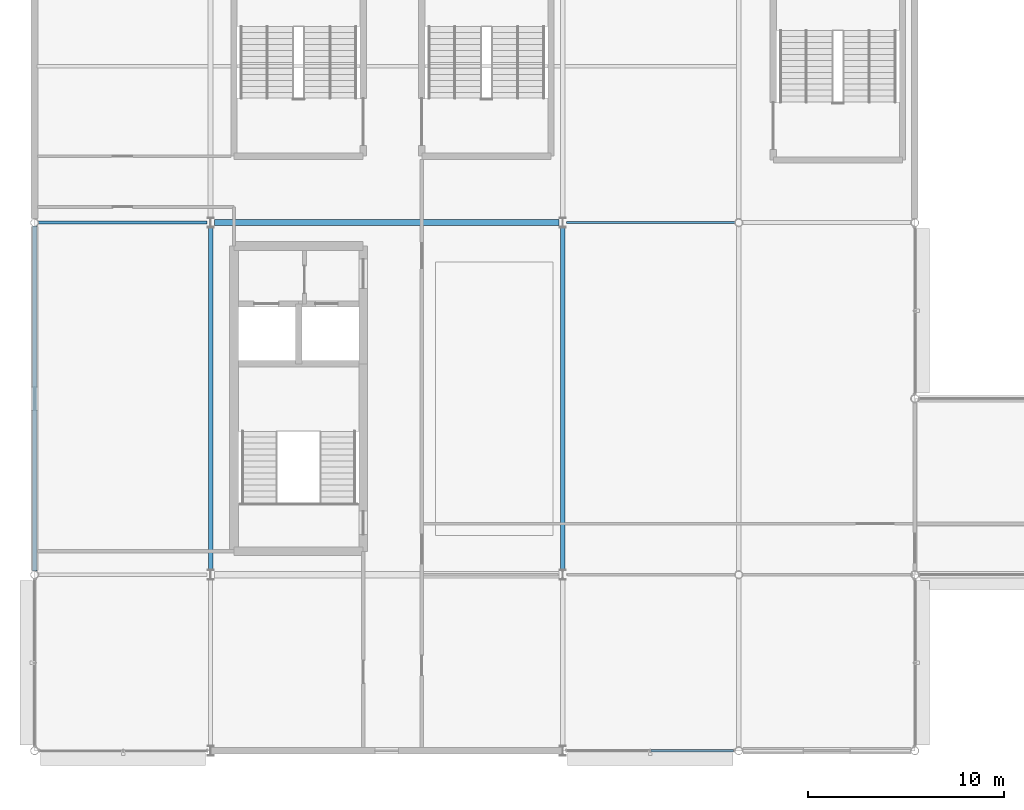
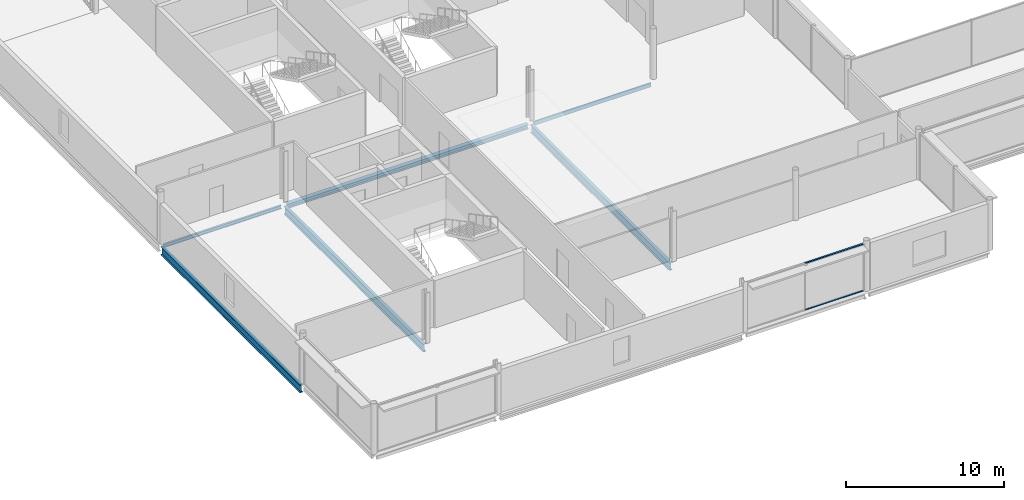
# One storey, part 19 of 96: 6 beams, 2 members, 1 element without a shape of its own.
"""IFC4 building model written with IfcOpenShell, lengths in metres."""

from ifc_helpers import new_model, si_unit, direction, frame, origin, origin_2d, place, context, subcontext, project, spatial, rectangle, i_section, u_section, extrude, material, layer, layer_set, material_profile, profile_set, type_object, element, aggregate, save


model = new_model("IFC4")

# Units and contexts
model_context = context("Model", 3, precision=1e-05, world=origin(), true_north=direction((0.0, 1.0)))
body_context = subcontext(model_context, "Body", "Model", "MODEL_VIEW")
ifc_project = project(units=[si_unit("LENGTHUNIT", "METRE"), si_unit("AREAUNIT", "SQUARE_METRE"), si_unit("VOLUMEUNIT", "CUBIC_METRE"), si_unit("PLANEANGLEUNIT", "RADIAN"), si_unit("MASSUNIT", "GRAM", prefix="KILO")], contexts=[model_context])

# Site, building, storey
site_placement = place(None, origin())
site = spatial("IfcSite", under=ifc_project, at=site_placement, CompositionType="ELEMENT")
building_placement = place(site_placement, origin())
building = spatial("IfcBuilding", under=site, at=building_placement, Name="Kisiwana Market Hall", CompositionType="ELEMENT")
storey_placement = place(building_placement, frame((0.0, 0.0, 25.5)))
storey = spatial("IfcBuildingStorey", under=building, at=storey_placement, Name="L05", CompositionType="ELEMENT", Elevation=25.5)

# Beams
ifc_material_1 = material(Name="Steel S355", Category="steel")
ifc_material_profile_1 = material_profile(ifc_material_1, i_section(OverallWidth=0.22900390625, OverallDepth=0.6123046875, WebThickness=0.011962890625, FlangeThickness=0.01953125, at=origin_2d()), Name="UB 610x229x125")
ifc_profile_set_1 = profile_set([ifc_material_profile_1], Name="Steel S355")
beam_type_1 = type_object("IfcBeamType", Name="BM-GIRD-UB610H", PredefinedType="BEAM", material=ifc_profile_set_1)
beam_1_placement = place(storey_placement, frame((0.0, 18.18017578125, -0.62109375), z_axis=(0.0, 1.0, 0.0), x_axis=(-1.0, 0.0, 0.0)))
element("IfcBeam", 1, at=beam_1_placement, inside=storey, type_object=beam_type_1, Name="Floor beam B-1670", PredefinedType="BEAM", context=body_context, shape_type="SweptSolid", body=[
    extrude(i_section(OverallWidth=0.22900390625, OverallDepth=0.6123046875, WebThickness=0.011962890625, FlangeThickness=0.01953125, at=origin_2d()), origin(), (0.0, 0.0, 1.0), 17.6396484375),
])
for number, where, z_axis, x_axis, name in (
    (2, (9.0, 18.1865234375, -0.62109375), (0.0, 1.0, 0.0), (-1.0, 0.0, 0.0), "Primary girder B-1522"),
    (3, (27.0, 18.1865234375, -0.62109375), (0.0, 1.0, 0.0), (-1.0, 0.0, 0.0), "Primary girder B-1528"),
):
    element("IfcBeam", number, at=place(storey_placement, frame(where, z_axis=z_axis, x_axis=x_axis)), inside=storey, type_object=beam_type_1, Name=name, PredefinedType="BEAM", context=body_context, shape_type="SweptSolid", body=[
        extrude(i_section(OverallWidth=0.22900390625, OverallDepth=0.6123046875, WebThickness=0.011962890625, FlangeThickness=0.01953125, at=origin_2d()), origin(), (0.0, 0.0, 1.0), 17.626953125),
    ])
ifc_material_2 = material(Name="Steel S355", Category="steel")
ifc_material_profile_2 = material_profile(ifc_material_2, i_section(OverallWidth=0.146484375, OverallDepth=0.256103515625, WebThickness=0.00634765625, FlangeThickness=0.010986328125, at=origin_2d()), Name="UB 254x146x37")
ifc_profile_set_2 = profile_set([ifc_material_profile_2], Name="Steel S355")
beam_type_2 = type_object("IfcBeamType", Name="BM-JOIST-UB254", PredefinedType="JOIST", material=ifc_profile_set_2)
beam_2_placement = place(storey_placement, frame((0.182373046875, 36.0, -0.443115234375), z_axis=(1.0, 0.0, 0.0), x_axis=(0.0, 1.0, 0.0)))
element("IfcBeam", 4, at=beam_2_placement, inside=storey, type_object=beam_type_2, Name="Floor beam B-1623", PredefinedType="JOIST", context=body_context, shape_type="SweptSolid", body=[
    extrude(i_section(OverallWidth=0.146484375, OverallDepth=0.256103515625, WebThickness=0.00634765625, FlangeThickness=0.010986328125, at=origin_2d()), origin(), (0.0, 0.0, 1.0), 8.624267578125),
])
ifc_material_3 = material(Name="Steel S355", Category="steel")
ifc_material_profile_3 = material_profile(ifc_material_3, i_section(OverallWidth=0.314453125, OverallDepth=0.33984375, WebThickness=0.01904296875, FlangeThickness=0.031494140625, at=origin_2d()), Name="UC 305x305x198")
ifc_profile_set_3 = profile_set([ifc_material_profile_3], Name="Steel S355")
beam_type_3 = type_object("IfcBeamType", Name="BM-SKYBR-CHORD", PredefinedType="BEAM", material=ifc_profile_set_3)
beam_3_placement = place(storey_placement, frame((9.193359375, 36.0, -0.48486328125), z_axis=(1.0, 0.0, 0.0), x_axis=(0.0, 1.0, 0.0)))
element("IfcBeam", 5, at=beam_3_placement, inside=storey, type_object=beam_type_3, Name="Floor beam B-1624", PredefinedType="BEAM", context=body_context, shape_type="SweptSolid", body=[
    extrude(i_section(OverallWidth=0.314453125, OverallDepth=0.33984375, WebThickness=0.01904296875, FlangeThickness=0.031494140625, at=origin_2d()), origin(), (0.0, 0.0, 1.0), 17.61328125),
])
ifc_material_4 = material(Name="Steel S355", Category="steel")
ifc_material_profile_4 = material_profile(ifc_material_4, u_section(Depth=0.300048828125, FlangeWidth=0.10009765625, WebThickness=0.009033203125, FlangeThickness=0.0166015625, at=origin_2d()), Name="PFC 300x100x46")
ifc_profile_set_4 = profile_set([ifc_material_profile_4], Name="Steel S355")
beam_type_4 = type_object("IfcBeamType", Name="BM-SPAN-PFC300", PredefinedType="SPANDREL", material=ifc_profile_set_4)
beam_4_placement = place(storey_placement, frame((27.193359375, 36.0, -0.465087890625), z_axis=(1.0, 0.0, 0.0), x_axis=(0.0, 1.0, 0.0)))
element("IfcBeam", 6, at=beam_4_placement, inside=storey, type_object=beam_type_4, Name="Floor beam B-1625", PredefinedType="SPANDREL", context=body_context, shape_type="SweptSolid", body=[
    extrude(u_section(Depth=0.300048828125, FlangeWidth=0.10009765625, WebThickness=0.009033203125, FlangeThickness=0.0166015625, at=origin_2d()), origin(), (0.0, 0.0, 1.0), 8.624267578125),
])

# Curtain wall, members
ifc_material_5 = material(Name="Double-glazed solar-control low-E IGU", Category="glass")
ifc_layer = layer(ifc_material_5, 0.159912109375)
ifc_layer_set = layer_set([ifc_layer], Name="CW-ZNA-EW-8200")
curtain_wall_type = type_object("IfcCurtainWallType", Name="CW-ZNA-EW-8200", PredefinedType="USERDEFINED", material=ifc_layer_set)
curtain_wall_placement = place(storey_placement, origin())
curtain_wall = element("IfcCurtainWall", 7, at=curtain_wall_placement, inside=storey, type_object=curtain_wall_type, Name="Unitised curtain wall CW-130 (L05)", ObjectType="UNITISED CURTAIN WALL", PredefinedType="USERDEFINED")
ifc_material_6 = material(Name="Aluminium alloy 6063-T6", Category="aluminium")
ifc_material_profile_5 = material_profile(ifc_material_6, rectangle(XDim=0.1201171875, YDim=0.06005859375, at=origin_2d()), Name="ALU TRANSOM 60x120")
ifc_profile_set_5 = profile_set([ifc_material_profile_5], Name="Aluminium alloy 6063-T6")
member_type = type_object("IfcMemberType", Name="CW-TRAN-60x120", PredefinedType="USERDEFINED", material=ifc_profile_set_5)
member_1_placement = place(storey_placement, frame((31.50341796875, 9.0, 0.030029296875), z_axis=(1.0, 0.0, 0.0), x_axis=(0.0, 1.0, 0.0)))
member_1 = element("IfcMember", 8, at=member_1_placement, type_object=member_type, Name="CW-130 transom 2.1", ObjectType="TRANSOM", PredefinedType="USERDEFINED", context=body_context, shape_type="SweptSolid", body=[
    extrude(rectangle(XDim=0.1201171875, YDim=0.06005859375, at=origin_2d()), origin(), (0.0, 0.0, 1.0), 4.2333984375),
])
member_2_placement = place(storey_placement, frame((31.50341796875, 9.0, 3.625), z_axis=(1.0, 0.0, 0.0), x_axis=(0.0, 1.0, 0.0)))
member_2 = element("IfcMember", 9, at=member_2_placement, type_object=member_type, Name="CW-130 transom 2.2", ObjectType="TRANSOM", PredefinedType="USERDEFINED", context=body_context, shape_type="SweptSolid", body=[
    extrude(rectangle(XDim=0.1201171875, YDim=0.06005859375, at=origin_2d()), origin(), (0.0, 0.0, 1.0), 4.2333984375),
])
aggregate(curtain_wall, [member_1, member_2])

save(model, "model.ifc")
